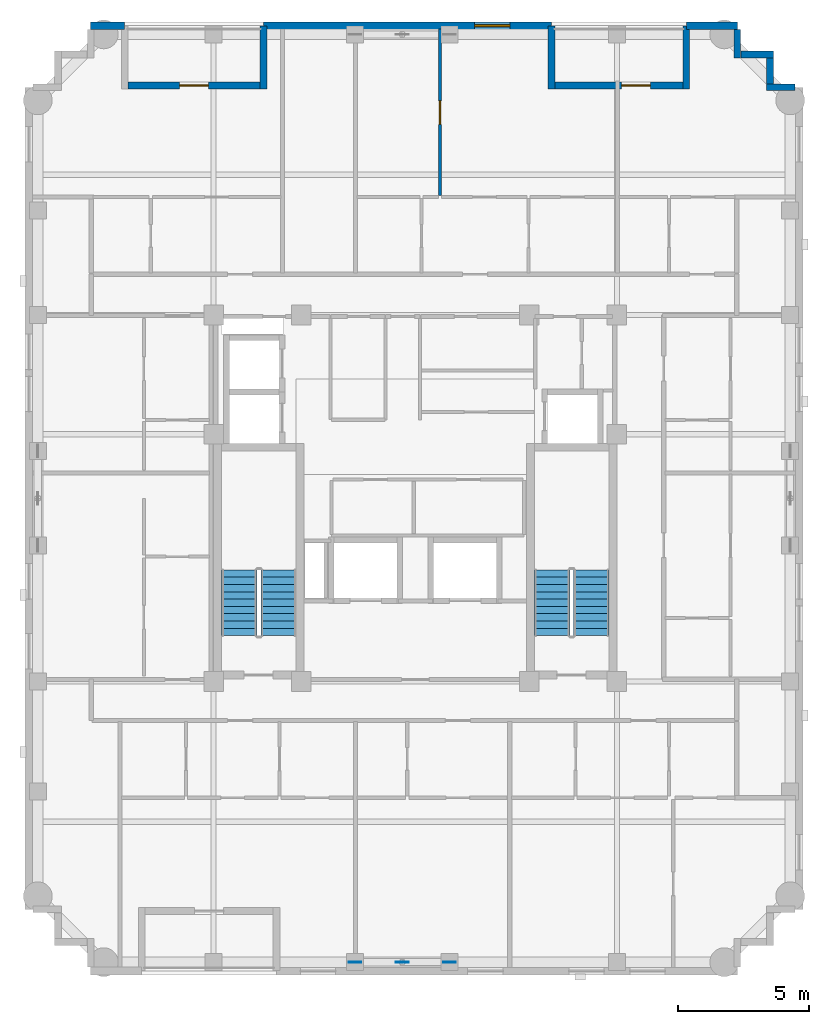
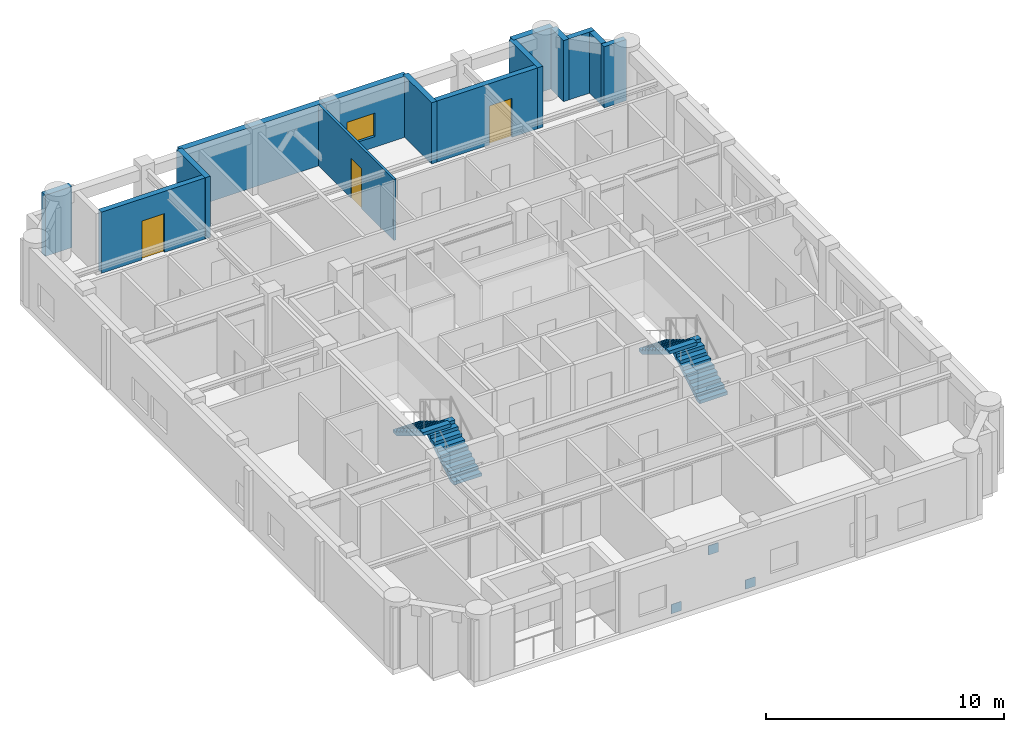
# One storey, part 7 of 10: 13 walls, 4 stair flights, 3 discrete accessories, 3 doors, 1 window, 4 openings, 2 elements without a shape of their own.
"""IFC4 building model written with IfcOpenShell, lengths in metres."""

from ifc_helpers import new_model, si_unit, derived_unit, direction, frame, frame_2d, origin, origin_2d, place, context, subcontext, project, spatial, polyline, rectangle, outline, extrude, material, layer, layer_set, type_object, element, fill, aggregate, save


model = new_model("IFC4")

# Units and contexts
model_context = context("Model", 3, precision=1e-05, world=origin(), true_north=direction((0.0, 1.0)))
body_context = subcontext(model_context, "Body", "Model", "MODEL_VIEW")
ifc_project = project(units=[si_unit("LENGTHUNIT", "METRE"), si_unit("AREAUNIT", "SQUARE_METRE"), si_unit("VOLUMEUNIT", "CUBIC_METRE"), si_unit("PLANEANGLEUNIT", "RADIAN"), si_unit("MASSUNIT", "GRAM", prefix="KILO"), derived_unit("THERMALTRANSMITTANCEUNIT", [(si_unit("MASSUNIT", "GRAM", prefix="KILO"), 1), (si_unit("TIMEUNIT", "SECOND"), -3), (si_unit("THERMODYNAMICTEMPERATUREUNIT", "KELVIN"), -1)])], contexts=[model_context])

# Site, building, storey
site_placement = place(None, origin())
site = spatial("IfcSite", under=ifc_project, at=site_placement, CompositionType="ELEMENT")
building_placement = place(site_placement, origin())
building = spatial("IfcBuilding", under=site, at=building_placement, Name="Korrvale Station Residences", CompositionType="ELEMENT")
storey_placement = place(building_placement, frame((0.0, 0.0, 234.300048828125)))
storey = spatial("IfcBuildingStorey", under=building, at=storey_placement, Name="L68", CompositionType="ELEMENT", Elevation=234.300048828125)

# Wall, opening, door
ifc_material_1 = material(Name="Precast concrete C45/55", Category="concrete")
ifc_layer_1 = layer(ifc_material_1, 0.260009765625, Name="Precast concrete C45/55")
ifc_layer_set_1 = layer_set([ifc_layer_1], Name="Precast concrete C45/55")
wall_type_1 = type_object("IfcWallType", Name="WAL-EXT-LOG260", PredefinedType="SOLIDWALL", material=ifc_layer_set_1)
wall_1_placement = place(storey_placement, frame((14.533935546875, 37.77001953125, 0.0), z_axis=(0.0, 0.0, 1.0), x_axis=(1.0, 0.0, 0.0)))
wall_1 = element("IfcWall", 1, at=wall_1_placement, inside=storey, type_object=wall_type_1, Name="L68 Recessed Loggia Wall BAL-L68-N2-B", PredefinedType="SOLIDWALL", context=body_context, shape_type="SweptSolid", body=[
    extrude(rectangle(XDim=5.031982421875, YDim=0.260009765625, at=frame_2d((2.51611328125, 0.0))), origin(), (0.0, 0.0, 1.0), 3.139892578125),
])
opening_1_placement = place(wall_1_placement, frame((1.966064453125, 0.0, 0.0)))
opening_1 = element("IfcOpeningElement", 2, at=opening_1_placement, cuts=wall_1, Name="Opening BD-01", PredefinedType="OPENING", context=body_context, shape_type="SweptSolid", body=[
    extrude(rectangle(XDim=1.10009765625, YDim=2.0, at=frame_2d((0.550048828125, 1.0))), frame((0.0, 0.14013671875, 0.0), z_axis=(0.0, -1.0, 0.0), x_axis=(1.0, 0.0, 0.0)), (0.0, 0.0, 1.0), 0.280029296875),
])
ifc_material_2 = material(Name="Exterior thermally broken aluminium glazed balcony door", Category="aluminium")
door_type_1 = type_object("IfcDoorType", Name="DR-EXT-BAL", OperationType="NOTDEFINED", PredefinedType="DOOR", material=ifc_material_2)
door_1_placement = place(opening_1_placement, origin())
door_1 = element("IfcDoor", 3, at=door_1_placement, inside=storey, type_object=door_type_1, Name="L68 Loggia Balcony Door BAL-L68-N2", OperationType="SINGLE_SWING_LEFT", OverallHeight=2.0, OverallWidth=1.10009765625, PredefinedType="DOOR", context=body_context, shape_type="SweptSolid", body=[
    extrude(rectangle(XDim=1.10009765625, YDim=2.0, at=frame_2d((0.550048828125, 1.0))), frame((0.0, 0.02490234375, 0.0), z_axis=(0.0, -1.0, 0.0), x_axis=(1.0, 0.0, 0.0)), (0.0, 0.0, 1.0), 0.050048828125),
])
fill(opening_1, door_1)

# Walls
for number, where, z_axis, x_axis, name in (
    (4, (19.699951171875, 37.639892578125, 0.0), (0.0, 0.0, 1.0), (0.0, 1.0, 0.0), "L68 Recessed Loggia Wall BAL-L68-N2-R"),
    (5, (30.699951171875, 40.0400390625, 0.0), (0.0, 0.0, 1.0), (0.0, -1.0, 0.0), "L68 Recessed Loggia Wall BAL-L68-N1-L"),
):
    element("IfcWall", number, at=place(storey_placement, frame(where, z_axis=z_axis, x_axis=x_axis)), inside=storey, type_object=wall_type_1, Name=name, PredefinedType="SOLIDWALL", context=body_context, shape_type="SweptSolid", body=[
        extrude(rectangle(XDim=2.400146484375, YDim=0.260009765625, at=frame_2d((1.2001953125, 0.0))), origin(), (0.0, 0.0, 1.0), 3.139892578125),
    ])

# Wall, opening, door
wall_2_placement = place(storey_placement, frame((30.833984375, 37.77001953125, 0.0), z_axis=(0.0, 0.0, 1.0), x_axis=(1.0, 0.0, 0.0)))
wall_2 = element("IfcWall", 6, at=wall_2_placement, inside=storey, type_object=wall_type_1, Name="L68 Recessed Loggia Wall BAL-L68-N1-B", PredefinedType="SOLIDWALL", context=body_context, shape_type="SweptSolid", body=[
    extrude(rectangle(XDim=4.882080078125, YDim=0.260009765625, at=frame_2d((2.44091796875, 0.0))), origin(), (0.0, 0.0, 1.0), 3.139892578125),
])
opening_2_placement = place(wall_2_placement, frame((2.5458984375, 0.0, 0.0)))
opening_2 = element("IfcOpeningElement", 7, at=opening_2_placement, cuts=wall_2, Name="Opening BD-01", PredefinedType="OPENING", context=body_context, shape_type="SweptSolid", body=[
    extrude(rectangle(XDim=1.10009765625, YDim=2.0, at=frame_2d((0.550048828125, 1.0))), frame((0.0, 0.14013671875, 0.0), z_axis=(0.0, -1.0, 0.0), x_axis=(1.0, 0.0, 0.0)), (0.0, 0.0, 1.0), 0.280029296875),
])
door_2_placement = place(opening_2_placement, origin())
door_2 = element("IfcDoor", 8, at=door_2_placement, inside=storey, type_object=door_type_1, Name="L68 Loggia Balcony Door BAL-L68-N1", OperationType="SINGLE_SWING_RIGHT", OverallHeight=2.0, OverallWidth=1.10009765625, PredefinedType="DOOR", context=body_context, shape_type="SweptSolid", body=[
    extrude(rectangle(XDim=1.10009765625, YDim=2.0, at=frame_2d((0.550048828125, 1.0))), frame((0.0, 0.02490234375, 0.0), z_axis=(0.0, -1.0, 0.0), x_axis=(1.0, 0.0, 0.0)), (0.0, 0.0, 1.0), 0.050048828125),
])
fill(opening_2, door_2)

# Walls
wall_3_placement = place(storey_placement, frame((35.85009765625, 37.639892578125, 0.0), z_axis=(0.0, 0.0, 1.0), x_axis=(0.0, 1.0, 0.0)))
element("IfcWall", 9, at=wall_3_placement, inside=storey, type_object=wall_type_1, Name="L68 Recessed Loggia Wall BAL-L68-N1-R", PredefinedType="SOLIDWALL", context=body_context, shape_type="SweptSolid", body=[
    extrude(rectangle(XDim=2.400146484375, YDim=0.260009765625, at=frame_2d((1.2001953125, 0.0))), origin(), (0.0, 0.0, 1.0), 3.139892578125),
])
wall_4_placement = place(storey_placement, frame((37.800048828125, 39.89794921875, 0.0), z_axis=(0.0, 0.0, 1.0), x_axis=(0.0, -1.0, 0.0)))
element("IfcWall", 10, at=wall_4_placement, inside=storey, type_object=wall_type_1, Name="L68 Serrated Corner Precast Step NE-1", PredefinedType="SOLIDWALL", context=body_context, shape_type="SweptSolid", body=[
    extrude(rectangle(XDim=1.077880859375, YDim=0.260009765625, at=frame_2d((0.5390625, 0.0))), origin(), (0.0, 0.0, 1.0), 3.139892578125),
])
wall_5_placement = place(storey_placement, frame((37.931884765625, 38.949951171875, 0.0), z_axis=(0.0, 0.0, 1.0), x_axis=(1.0, 0.0, 0.0)))
element("IfcWall", 11, at=wall_5_placement, inside=storey, type_object=wall_type_1, Name="L68 Serrated Corner Precast Step NE-2", PredefinedType="SOLIDWALL", context=body_context, shape_type="SweptSolid", body=[
    extrude(rectangle(XDim=1.248046875, YDim=0.260009765625, at=frame_2d((0.6240234375, 0.0))), origin(), (0.0, 0.0, 1.0), 3.139892578125),
])
wall_6_placement = place(storey_placement, frame((39.050048828125, 38.818115234375, 0.0), z_axis=(0.0, 0.0, 1.0), x_axis=(0.0, -1.0, 0.0)))
element("IfcWall", 12, at=wall_6_placement, inside=storey, type_object=wall_type_1, Name="L68 Serrated Corner Precast Step NE-3", PredefinedType="SOLIDWALL", context=body_context, shape_type="SweptSolid", body=[
    extrude(rectangle(XDim=0.986083984375, YDim=0.260009765625, at=frame_2d((0.4931640625, 0.0))), origin(), (0.0, 0.0, 1.0), 3.139892578125),
])
wall_7_placement = place(storey_placement, frame((38.919921875, 37.699951171875, 0.0), z_axis=(0.0, 0.0, 1.0), x_axis=(1.0, 0.0, 0.0)))
element("IfcWall", 13, at=wall_7_placement, inside=storey, type_object=wall_type_1, Name="L68 Serrated Corner Precast Step NE-4", PredefinedType="SOLIDWALL", context=body_context, shape_type="SweptSolid", body=[
    extrude(rectangle(XDim=1.078125, YDim=0.260009765625, at=frame_2d((0.5390625, 0.0))), origin(), (0.0, 0.0, 1.0), 3.139892578125),
])
ifc_layer_2 = layer(ifc_material_1, 0.300048828125, Name="Precast concrete C45/55")
ifc_layer_set_2 = layer_set([ifc_layer_2], Name="Precast concrete C45/55")
wall_type_2 = type_object("IfcWallType", Name="WAL-EXT-PC300", PredefinedType="SOLIDWALL", material=ifc_layer_set_2)
wall_8_placement = place(storey_placement, frame((13.10009765625, 40.050048828125, 0.0), z_axis=(0.0, 0.0, 1.0), x_axis=(1.0, 0.0, 0.0)))
element("IfcWall", 14, at=wall_8_placement, inside=storey, type_object=wall_type_2, Name="L68 North Exterior Precast Wall 1", PredefinedType="SOLIDWALL", context=body_context, shape_type="SweptSolid", body=[
    extrude(rectangle(XDim=1.2998046875, YDim=0.300048828125, at=frame_2d((0.64990234375, 0.0))), origin(), (0.0, 0.0, 1.0), 3.139892578125),
])

# Wall, opening, window
wall_9_placement = place(storey_placement, frame((19.699951171875, 40.050048828125, 0.0), z_axis=(0.0, 0.0, 1.0), x_axis=(1.0, 0.0, 0.0)))
wall_9 = element("IfcWall", 15, at=wall_9_placement, inside=storey, type_object=wall_type_2, Name="L68 North Exterior Precast Wall 2", PredefinedType="SOLIDWALL", context=body_context, shape_type="SweptSolid", body=[
    extrude(rectangle(XDim=11.0, YDim=0.300048828125, at=frame_2d((5.5, 0.0))), origin(), (0.0, 0.0, 1.0), 3.139892578125),
])
opening_3_placement = place(wall_9_placement, frame((8.06396484375, 0.0, 0.550048828125)))
opening_3 = element("IfcOpeningElement", 16, at=opening_3_placement, cuts=wall_9, Name="Opening W-10", PredefinedType="OPENING", context=body_context, shape_type="SweptSolid", body=[
    extrude(rectangle(XDim=1.35009765625, YDim=1.199951171875, at=frame_2d((0.675048828125, 0.60009765625))), frame((0.0, 0.16015625, 0.0), z_axis=(0.0, -1.0, 0.0), x_axis=(1.0, 0.0, 0.0)), (0.0, 0.0, 1.0), 0.320068359375),
])
ifc_material_3 = material(Name="Thermally broken aluminium frame with triple low-e glazing", Category="aluminium")
window_type = type_object("IfcWindowType", Name="WIN-W10", PartitioningType="SINGLE_PANEL", PredefinedType="WINDOW", material=ifc_material_3)
window_placement = place(opening_3_placement, origin())
window = element("IfcWindow", 17, at=window_placement, inside=storey, type_object=window_type, Name="L68 Punched Window 07", OverallHeight=1.199951171875, OverallWidth=1.35009765625, PartitioningType="SINGLE_PANEL", PredefinedType="WINDOW", context=body_context, shape_type="SweptSolid", body=[
    extrude(rectangle(XDim=1.35009765625, YDim=1.199951171875, at=frame_2d((0.675048828125, 0.60009765625))), frame((0.0, 0.030029296875, 0.0), z_axis=(0.0, -1.0, 0.0), x_axis=(1.0, 0.0, 0.0)), (0.0, 0.0, 1.0), 0.06005859375),
])
fill(opening_3, window)

# Wall
wall_10_placement = place(storey_placement, frame((35.85009765625, 40.050048828125, 0.0), z_axis=(0.0, 0.0, 1.0), x_axis=(1.0, 0.0, 0.0)))
element("IfcWall", 18, at=wall_10_placement, inside=storey, type_object=wall_type_2, Name="L68 North Exterior Precast Wall 3", PredefinedType="SOLIDWALL", context=body_context, shape_type="SweptSolid", body=[
    extrude(rectangle(XDim=1.949951171875, YDim=0.300048828125, at=frame_2d((0.97509765625, 0.0))), origin(), (0.0, 0.0, 1.0), 3.139892578125),
])

# Wall, opening, door
ifc_material_4 = material(Name="Acoustic steel-stud gypsum board partition", Category="steel")
ifc_layer_3 = layer(ifc_material_4, 0.1201171875, Name="Acoustic steel-stud gypsum board partition")
ifc_layer_set_3 = layer_set([ifc_layer_3], Name="Acoustic steel-stud gypsum board partition")
wall_type_3 = type_object("IfcWallType", Name="WAL-PART-125", PredefinedType="PARTITIONING", material=ifc_layer_set_3)
wall_11_placement = place(storey_placement, frame((26.43994140625, 33.570068359375, 0.0), z_axis=(0.0, 0.0, 1.0), x_axis=(0.0, 1.0, 0.0)))
wall_11 = element("IfcWall", 19, at=wall_11_placement, inside=storey, type_object=wall_type_3, Name="L68 Suite Partition U05-V34", PredefinedType="PARTITIONING", context=body_context, shape_type="SweptSolid", body=[
    extrude(rectangle(XDim=6.349853515625, YDim=0.1201171875, at=frame_2d((3.1748046875, 0.0))), origin(), (0.0, 0.0, 1.0), 3.139892578125),
])
opening_4_placement = place(wall_11_placement, frame((2.7099609375, 0.0, 0.0)))
opening_4 = element("IfcOpeningElement", 20, at=opening_4_placement, cuts=wall_11, Name="Opening DI-900", PredefinedType="OPENING", context=body_context, shape_type="SweptSolid", body=[
    extrude(rectangle(XDim=0.89990234375, YDim=2.050048828125, at=frame_2d((0.449951171875, 1.02490234375))), frame((0.0, 0.070068359375, 0.0), z_axis=(0.0, -1.0, 0.0), x_axis=(1.0, 0.0, 0.0)), (0.0, 0.0, 1.0), 0.14013671875),
])
ifc_material_5 = material(Name="Painted solid-core timber interior room door", Category="wood")
door_type_2 = type_object("IfcDoorType", Name="DR-INT-900", OperationType="NOTDEFINED", PredefinedType="DOOR", material=ifc_material_5)
door_3_placement = place(opening_4_placement, origin())
door_3 = element("IfcDoor", 21, at=door_3_placement, inside=storey, type_object=door_type_2, Name="L68 Studio Apartment L68-U05 Walk-In Wardrobe Door", OperationType="SINGLE_SWING_RIGHT", OverallHeight=2.050048828125, OverallWidth=0.89990234375, PredefinedType="DOOR", context=body_context, shape_type="SweptSolid", body=[
    extrude(rectangle(XDim=0.89990234375, YDim=2.050048828125, at=frame_2d((0.449951171875, 1.02490234375))), frame((0.0, 0.02490234375, 0.0), z_axis=(0.0, -1.0, 0.0), x_axis=(1.0, 0.0, 0.0)), (0.0, 0.0, 1.0), 0.050048828125),
])
fill(opening_4, door_3)

# Stair, stair flights
ifc_material_6 = material(Name="Concrete C50/60", Category="concrete")
stair_type = type_object("IfcStairType", Name="STR-DL-1350-20R-1700", PredefinedType="HALF_TURN_STAIR", material=ifc_material_6)
stair_1_placement = place(storey_placement, origin())
stair_1 = element("IfcStair", 22, at=stair_1_placement, inside=storey, type_object=stair_type, Name="L68 Exit Stair 1", PredefinedType="HALF_TURN_STAIR")
stair_flight_type = type_object("IfcStairFlightType", Name="FLT-DL-1350-20R-1700", PredefinedType="STRAIGHT", material=ifc_material_6)
stair_flight_1_placement = place(storey_placement, frame((20.27490234375, 16.75, 0.0), z_axis=(0.0, 0.0, 1.0), x_axis=(0.0, 1.0, 0.0)))
stair_flight_1 = element("IfcStairFlight", 23, at=stair_flight_1_placement, type_object=stair_flight_type, Name="ST-1 flight 1", NumberOfRisers=10, NumberOfTreads=9, PredefinedType="STRAIGHT", RiserHeight=0.17, TreadLength=0.28, context=body_context, shape_type="SweptSolid", body=[
    extrude(outline(polyline([(0.0, 0.0), (0.0, 0.169921875), (0.280029296875, 0.169921875), (0.280029296875, 0.340087890625), (0.56005859375, 0.340087890625), (0.56005859375, 0.510009765625), (0.840087890625, 0.510009765625), (0.840087890625, 0.679931640625), (1.1201171875, 0.679931640625), (1.1201171875, 0.85009765625), (1.39990234375, 0.85009765625), (1.39990234375, 1.02001953125), (1.679931640625, 1.02001953125), (1.679931640625, 1.18994140625), (1.9599609375, 1.18994140625), (1.9599609375, 1.360107421875), (2.239990234375, 1.360107421875), (2.239990234375, 1.530029296875), (2.52001953125, 1.530029296875), (2.52001953125, 1.699951171875), (2.52001953125, 1.354736328125), (0.288818359375, 0.0), (0.0, 0.0)])), frame((0.0, 0.675048828125, 0.0), z_axis=(0.0, -1.0, 0.0), x_axis=(1.0, 0.0, 0.0)), (0.0, 0.0, 1.0), 1.35009765625),
])
stair_flight_2_placement = place(storey_placement, frame((18.77490234375, 19.27001953125, 1.699951171875), z_axis=(0.0, 0.0, 1.0), x_axis=(0.0, -1.0, 0.0)))
stair_flight_2 = element("IfcStairFlight", 24, at=stair_flight_2_placement, type_object=stair_flight_type, Name="ST-1 flight 2", NumberOfRisers=10, NumberOfTreads=9, PredefinedType="STRAIGHT", RiserHeight=0.17, TreadLength=0.28, context=body_context, shape_type="SweptSolid", body=[
    extrude(outline(polyline([(0.0, 0.0), (0.0, 0.169921875), (0.280029296875, 0.169921875), (0.280029296875, 0.340087890625), (0.56005859375, 0.340087890625), (0.56005859375, 0.510009765625), (0.840087890625, 0.510009765625), (0.840087890625, 0.679931640625), (1.1201171875, 0.679931640625), (1.1201171875, 0.85009765625), (1.39990234375, 0.85009765625), (1.39990234375, 1.02001953125), (1.679931640625, 1.02001953125), (1.679931640625, 1.18994140625), (1.9599609375, 1.18994140625), (1.9599609375, 1.360107421875), (2.239990234375, 1.360107421875), (2.239990234375, 1.530029296875), (2.52001953125, 1.530029296875), (2.52001953125, 1.699951171875), (2.52001953125, 1.354736328125), (0.288818359375, 0.0), (0.0, 0.0)])), frame((0.0, 0.675048828125, 0.0), z_axis=(0.0, -1.0, 0.0), x_axis=(1.0, 0.0, 0.0)), (0.0, 0.0, 1.0), 1.35009765625),
])
aggregate(stair_1, [stair_flight_1, stair_flight_2])

stair_2_placement = place(storey_placement, origin())
stair_2 = element("IfcStair", 25, at=stair_2_placement, inside=storey, type_object=stair_type, Name="L68 Exit Stair 2", PredefinedType="HALF_TURN_STAIR")
stair_flight_3_placement = place(storey_placement, frame((32.22509765625, 16.75, 0.0), z_axis=(0.0, 0.0, 1.0), x_axis=(0.0, 1.0, 0.0)))
stair_flight_3 = element("IfcStairFlight", 26, at=stair_flight_3_placement, type_object=stair_flight_type, Name="ST-2 flight 1", NumberOfRisers=10, NumberOfTreads=9, PredefinedType="STRAIGHT", RiserHeight=0.17, TreadLength=0.28, context=body_context, shape_type="SweptSolid", body=[
    extrude(outline(polyline([(0.0, 0.0), (0.0, 0.169921875), (0.280029296875, 0.169921875), (0.280029296875, 0.340087890625), (0.56005859375, 0.340087890625), (0.56005859375, 0.510009765625), (0.840087890625, 0.510009765625), (0.840087890625, 0.679931640625), (1.1201171875, 0.679931640625), (1.1201171875, 0.85009765625), (1.39990234375, 0.85009765625), (1.39990234375, 1.02001953125), (1.679931640625, 1.02001953125), (1.679931640625, 1.18994140625), (1.9599609375, 1.18994140625), (1.9599609375, 1.360107421875), (2.239990234375, 1.360107421875), (2.239990234375, 1.530029296875), (2.52001953125, 1.530029296875), (2.52001953125, 1.699951171875), (2.52001953125, 1.354736328125), (0.288818359375, 0.0), (0.0, 0.0)])), frame((0.0, 0.675048828125, 0.0), z_axis=(0.0, -1.0, 0.0), x_axis=(1.0, 0.0, 0.0)), (0.0, 0.0, 1.0), 1.35009765625),
])
stair_flight_4_placement = place(storey_placement, frame((30.72509765625, 19.27001953125, 1.699951171875), z_axis=(0.0, 0.0, 1.0), x_axis=(0.0, -1.0, 0.0)))
stair_flight_4 = element("IfcStairFlight", 27, at=stair_flight_4_placement, type_object=stair_flight_type, Name="ST-2 flight 2", NumberOfRisers=10, NumberOfTreads=9, PredefinedType="STRAIGHT", RiserHeight=0.17, TreadLength=0.28, context=body_context, shape_type="SweptSolid", body=[
    extrude(outline(polyline([(0.0, 0.0), (0.0, 0.169921875), (0.280029296875, 0.169921875), (0.280029296875, 0.340087890625), (0.56005859375, 0.340087890625), (0.56005859375, 0.510009765625), (0.840087890625, 0.510009765625), (0.840087890625, 0.679931640625), (1.1201171875, 0.679931640625), (1.1201171875, 0.85009765625), (1.39990234375, 0.85009765625), (1.39990234375, 1.02001953125), (1.679931640625, 1.02001953125), (1.679931640625, 1.18994140625), (1.9599609375, 1.18994140625), (1.9599609375, 1.360107421875), (2.239990234375, 1.360107421875), (2.239990234375, 1.530029296875), (2.52001953125, 1.530029296875), (2.52001953125, 1.699951171875), (2.52001953125, 1.354736328125), (0.288818359375, 0.0), (0.0, 0.0)])), frame((0.0, 0.675048828125, 0.0), z_axis=(0.0, -1.0, 0.0), x_axis=(1.0, 0.0, 0.0)), (0.0, 0.0, 1.0), 1.35009765625),
])
aggregate(stair_2, [stair_flight_3, stair_flight_4])

# Discrete accessories
ifc_material_7 = material(Name="Steel S355", Category="steel")
ifc_layer_4 = layer(ifc_material_7, 0.02490234375, Name="Steel S355")
ifc_layer_set_4 = layer_set([ifc_layer_4], Name="Steel S355")
discrete_accessory_type = type_object("IfcDiscreteAccessoryType", Name="ACC-GUSSET-25", PredefinedType="BRACKET", material=ifc_layer_set_4)
for number, where, z_axis, x_axis, name in (
    (28, (23.199951171875, 4.280029296875, -0.219970703125), (0.0, 0.0, 1.0), (1.0, 0.0, 0.0), "L68 S Brace End Gusset Connection A"),
    (29, (26.800048828125, 4.280029296875, -0.219970703125), (0.0, 0.0, 1.0), (1.0, 0.0, 0.0), "L68 S Brace End Gusset Connection B"),
    (30, (25.0, 4.280029296875, 2.169921875), (0.0, 0.0, 1.0), (1.0, 0.0, 0.0), "L68 S Brace End Gusset Connection M"),
):
    element("IfcDiscreteAccessory", number, at=place(storey_placement, frame(where, z_axis=z_axis, x_axis=x_axis)), inside=storey, type_object=discrete_accessory_type, Name=name, PredefinedType="BRACKET", context=body_context, shape_type="SweptSolid", body=[
        extrude(rectangle(XDim=0.47998046875, YDim=0.02490234375, at=origin_2d()), origin(), (0.0, 0.0, 1.0), 0.47998046875),
    ])

save(model, "model.ifc")
